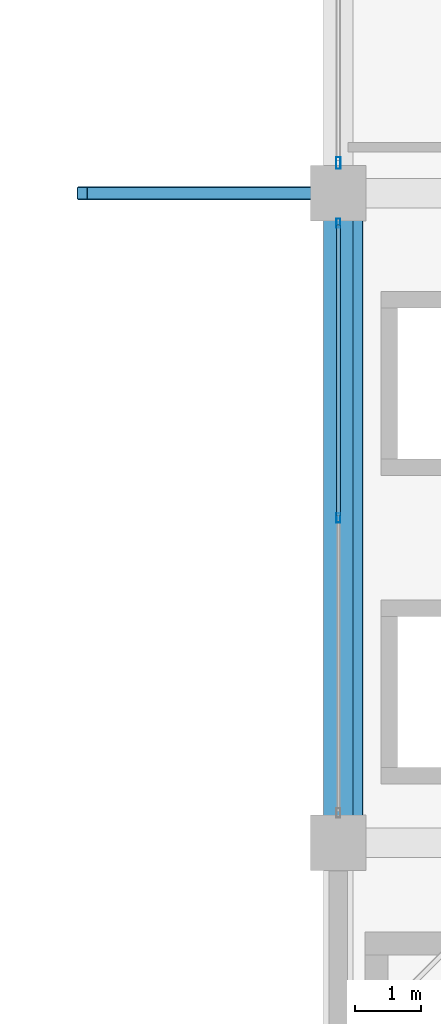
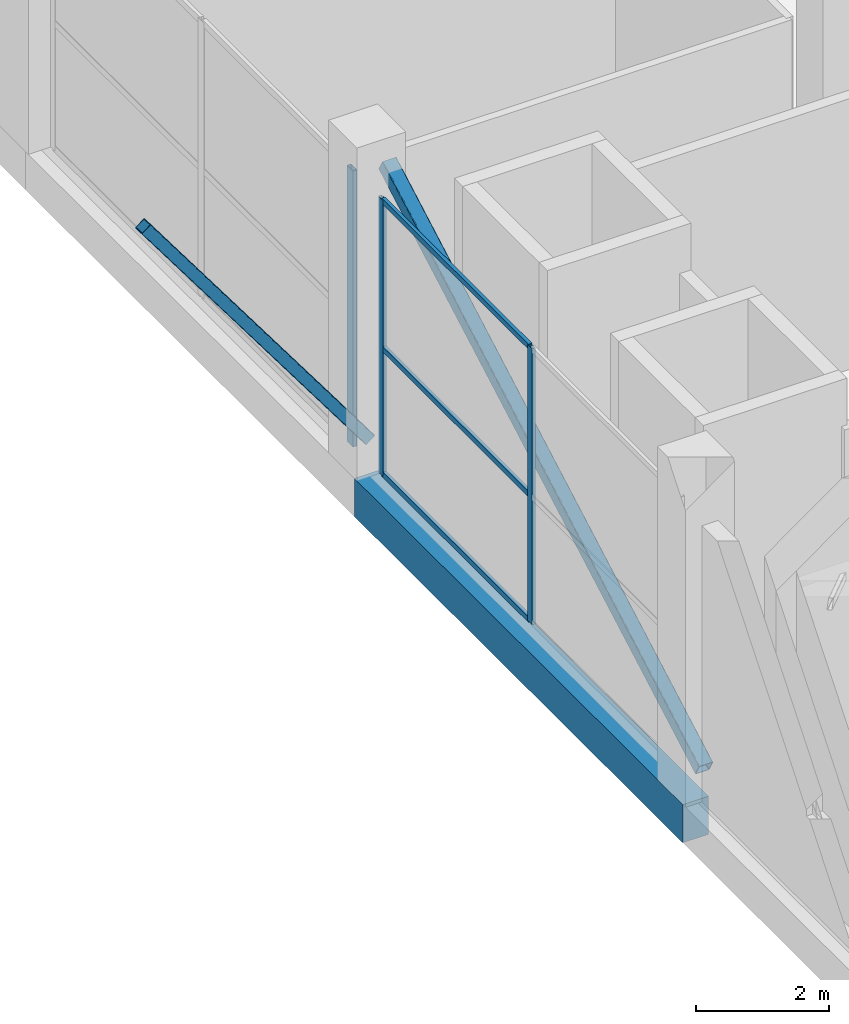
# One storey, part 3 of 46: 8 members, 1 beam, 2 elements without a shape of their own.
"""IFC4 building model written with IfcOpenShell, lengths in metres."""

import ifcopenshell
import ifcopenshell.guid

model = None  # the IFC model being written
_history = None  # IfcOwnerHistory: only IFC2X3 demands one
_inside = {}  # id of a spatial element -> (the spatial element, [elements in it])
_under = {}  # id of a project, library or spatial element -> (it, [spatial elements below it])
_declared = {}  # id of a project -> (the project, [libraries it declares])
_typed = {}  # id of a type object -> (the type object, [elements of that type])
_made_of = {}  # id of a material, layer set ... -> (it, [elements and type objects made of it])


def new_model(schema):
    """Start an empty IFC model of exactly this schema.

    Asked for "IFC4X3", IfcOpenShell would pick the latest addendum, in which some entities
    have other attributes; the version numbers below select the first issue.
    IFC2X3 requires an IfcOwnerHistory on every rooted entity: one is made here for all.
    """
    global model, _history
    if schema == "IFC4X3":
        model = ifcopenshell.file(schema_version=(4, 3, 0, 0))
    else:
        model = ifcopenshell.file(schema=schema)
    _inside.clear()
    _under.clear()
    _declared.clear()
    _typed.clear()
    _made_of.clear()
    _history = None
    if model.schema == "IFC2X3":
        org = make("IfcOrganization", Name="unknown")
        user = make(
            "IfcPersonAndOrganization",
            ThePerson=make("IfcPerson", FamilyName="unknown"),
            TheOrganization=org,
        )
        app = make(
            "IfcApplication",
            ApplicationDeveloper=org,
            Version="unknown",
            ApplicationFullName="unknown",
            ApplicationIdentifier="unknown",
        )
        _history = make(
            "IfcOwnerHistory",
            OwningUser=user,
            OwningApplication=app,
            ChangeAction="ADDED",
            CreationDate=0,
        )
    return model


def make(cls, **values):
    """One entity of the class cls with the attributes given. An attribute that is None is left unset."""
    return model.create_entity(
        cls, **{name: value for name, value in values.items() if value is not None}
    )


def rooted(cls, **values):
    """An entity with a GlobalId (a new one), such as an element, a storey or a relation."""
    return make(cls, GlobalId=ifcopenshell.guid.new(), OwnerHistory=_history, **values)


def si_unit(unit_type, name, prefix=None):
    """IfcSIUnit, for example si_unit("LENGTHUNIT", "METRE", prefix="MILLI")."""
    return make("IfcSIUnit", UnitType=unit_type, Prefix=prefix, Name=name)


def assignment(units):
    """IfcUnitAssignment: the units of a project."""
    return None if units is None else make("IfcUnitAssignment", Units=units)


def point(xyz):
    """IfcCartesianPoint."""
    return None if xyz is None else make("IfcCartesianPoint", Coordinates=xyz)


def direction(xyz):
    """IfcDirection."""
    return None if xyz is None else make("IfcDirection", DirectionRatios=xyz)


def frame(location, z_axis=None, x_axis=None):
    """IfcAxis2Placement3D, a coordinate frame: its origin and axes. An axis left out is left unset."""
    return make(
        "IfcAxis2Placement3D",
        Location=point(location),
        Axis=direction(z_axis),
        RefDirection=direction(x_axis),
    )


def frame_2d(location, x_axis=None):
    """IfcAxis2Placement2D, a coordinate frame in the plane: its origin and x axis."""
    return make(
        "IfcAxis2Placement2D", Location=point(location), RefDirection=direction(x_axis)
    )


def origin():
    """The frame at (0, 0, 0) with its axes left unset."""
    return frame((0.0, 0.0, 0.0))


def origin_2d():
    """The frame at (0, 0) in the plane with its x axis left unset."""
    return frame_2d((0.0, 0.0))


def place(relative_to, where):
    """IfcLocalPlacement: puts the frame where relative to a parent placement (None: the world)."""
    return make(
        "IfcLocalPlacement", PlacementRelTo=relative_to, RelativePlacement=where
    )


def context(
    kind, dimensions, precision=None, world=None, true_north=None, identifier=None
):
    """IfcGeometricRepresentationContext, for example the 3D "Model" context."""
    return make(
        "IfcGeometricRepresentationContext",
        ContextIdentifier=identifier,
        ContextType=kind,
        CoordinateSpaceDimension=dimensions,
        Precision=precision,
        WorldCoordinateSystem=world,
        TrueNorth=true_north,
    )


def subcontext(parent, identifier, kind, view, scale=None):
    """IfcGeometricRepresentationSubContext, for example "Body" below "Model"."""
    return make(
        "IfcGeometricRepresentationSubContext",
        ContextIdentifier=identifier,
        ContextType=kind,
        ParentContext=parent,
        TargetScale=scale,
        TargetView=view,
    )


def project(units=None, contexts=None):
    """IfcProject with its units and contexts."""
    return rooted(
        "IfcProject",
        Name="project",
        RepresentationContexts=contexts,
        UnitsInContext=assignment(units),
    )


def spatial(cls, under=None, at=None, **own):
    """A site, building, storey or space (cls), placed at a placement, below another one or the project."""
    s = rooted(cls, ObjectPlacement=at, **own)
    if under is not None:
        _under.setdefault(under.id(), (under, []))[1].append(s)
    return s


def profile(cls, at=None, kind="AREA", **sizes):
    """A parametric profile (cls). Its sizes go by their IFC names, for example OverallWidth=200.0."""
    return make(cls, ProfileType=kind, Position=at, **sizes)


def rectangle(**sizes):
    """IfcRectangleProfileDef."""
    return profile("IfcRectangleProfileDef", **sizes)


def hollow_rectangle(**sizes):
    """IfcRectangleHollowProfileDef."""
    return profile("IfcRectangleHollowProfileDef", **sizes)


def extrude(swept, where, along, depth):
    """IfcExtrudedAreaSolid: the profile swept, set in the frame where, extruded along a direction by depth."""
    return make(
        "IfcExtrudedAreaSolid",
        SweptArea=swept,
        Position=where,
        ExtrudedDirection=direction(along),
        Depth=depth,
    )


def shape(context_of_items, identifier, shape_type, items):
    """IfcShapeRepresentation: the items that make up one representation, for example the "Body"."""
    return make(
        "IfcShapeRepresentation",
        ContextOfItems=context_of_items,
        RepresentationIdentifier=identifier,
        RepresentationType=shape_type,
        Items=items,
    )


def material(Name=None, Category=None):
    """IfcMaterial."""
    return make("IfcMaterial", Name=Name, Category=Category)


def layer(
    of_material, thickness, ventilated=None, Name=None, Category=None, Priority=None
):
    """IfcMaterialLayer: one layer of a wall or slab, of a material (None: an air gap)."""
    return make(
        "IfcMaterialLayer",
        Material=of_material,
        LayerThickness=thickness,
        IsVentilated=ventilated,
        Name=Name,
        Category=Category,
        Priority=Priority,
    )


def layer_set(layers, Name=None):
    """IfcMaterialLayerSet."""
    return make("IfcMaterialLayerSet", MaterialLayers=layers, LayerSetName=Name)


def material_profile(
    of_material, cross_section, Name=None, Category=None, Priority=None
):
    """IfcMaterialProfile: a cross section and its material."""
    return make(
        "IfcMaterialProfile",
        Name=Name,
        Material=of_material,
        Profile=cross_section,
        Priority=Priority,
        Category=Category,
    )


def profile_set(profiles, Name=None, composite=None):
    """IfcMaterialProfileSet."""
    return make(
        "IfcMaterialProfileSet",
        Name=Name,
        MaterialProfiles=profiles,
        CompositeProfile=composite,
    )


def made_of(thing, what):
    """Note that an element or type object is made of a material, layer set ...; save() writes the relation."""
    if what is not None:
        _made_of.setdefault(what.id(), (what, []))[1].append(thing)
    return thing


def type_object(cls, material=None, **own):
    """A type object (cls), such as IfcWallType, which elements share."""
    return made_of(rooted(cls, **own), material)


def element(
    cls,
    number,
    at=None,
    inside=None,
    cuts=None,
    type_object=None,
    material=None,
    context=None,
    identifier="Body",
    shape_type=None,
    held_by="IfcProductDefinitionShape",
    body=None,
    shapes=None,
    **own,
):
    """One element of the class cls, such as IfcWall. Its Tag is "e" and its number.

    at: its placement. inside: the storey or other place that contains it. cuts: it is an
    opening in that element (IfcRelVoidsElement). A single representation is given by context,
    identifier, shape_type and body (its items); several are given by shapes. held_by: the class
    of the entity that holds the representations. save() writes the other relations.
    """
    e = rooted(cls, Tag="e%d" % number, ObjectPlacement=at, **own)
    if body is not None:
        shapes = [shape(context, identifier, shape_type, body)]
    if shapes is not None:
        e.Representation = make(held_by, Representations=shapes)
    if inside is not None:
        _inside.setdefault(inside.id(), (inside, []))[1].append(e)
    if cuts is not None:
        rooted(
            "IfcRelVoidsElement", RelatingBuildingElement=cuts, RelatedOpeningElement=e
        )
    if type_object is not None:
        _typed.setdefault(type_object.id(), (type_object, []))[1].append(e)
    return made_of(e, material)


def aggregate(whole, parts):
    """IfcRelAggregates: a whole, such as a stair, and the parts it consists of."""
    return rooted("IfcRelAggregates", RelatingObject=whole, RelatedObjects=parts)


def save(model, path):
    """Write the relations noted so far, then the file.

    IfcRelAggregates (storeys below a building ...), IfcRelContainedInSpatialStructure (elements
    in a storey), IfcRelDefinesByType, IfcRelAssociatesMaterial and IfcRelDeclares: one each for
    every whole, place, type object, material and project.
    """
    for whole, parts in _under.values():
        aggregate(whole, parts)
    for where, things in _inside.values():
        rooted(
            "IfcRelContainedInSpatialStructure",
            RelatedElements=things,
            RelatingStructure=where,
        )
    for kind, things in _typed.values():
        rooted("IfcRelDefinesByType", RelatedObjects=things, RelatingType=kind)
    for what, things in _made_of.values():
        rooted("IfcRelAssociatesMaterial", RelatedObjects=things, RelatingMaterial=what)
    for by, libraries in _declared.values():
        rooted("IfcRelDeclares", RelatingContext=by, RelatedDefinitions=libraries)
    model.write(path)


model = new_model("IFC4")

# Units and contexts
model_context = context("Model", 3, precision=1e-05, world=origin(), true_north=direction((0.0, 1.0)))
body_context = subcontext(model_context, "Body", "Model", "MODEL_VIEW")
ifc_project = project(units=[si_unit("LENGTHUNIT", "METRE"), si_unit("AREAUNIT", "SQUARE_METRE"), si_unit("VOLUMEUNIT", "CUBIC_METRE"), si_unit("PLANEANGLEUNIT", "RADIAN"), si_unit("MASSUNIT", "GRAM", prefix="KILO")], contexts=[model_context])

# Site, building, storey
site_placement = place(None, origin())
site = spatial("IfcSite", under=ifc_project, at=site_placement, CompositionType="ELEMENT")
building_placement = place(site_placement, origin())
building = spatial("IfcBuilding", under=site, at=building_placement, Name="Sillaruma Civic Art Gallery", CompositionType="ELEMENT")
storey_placement = place(building_placement, frame((0.0, 0.0, 16.320068359375)))
storey = spatial("IfcBuildingStorey", under=building, at=storey_placement, Name="L03", CompositionType="ELEMENT", Elevation=16.320068359375)

# Beam
ifc_material_1 = material(Name="Concrete H35 (35 MPa)", Category="concrete")
ifc_material_profile_1 = material_profile(ifc_material_1, rectangle(XDim=0.449951171875, YDim=0.699951171875, at=origin_2d()), Name="RCB450x700")
ifc_profile_set_1 = profile_set([ifc_material_profile_1], Name="Concrete H35 (35 MPa)")
beam_type = type_object("IfcBeamType", Name="BM-SPANDREL-RCB450x700", PredefinedType="SPANDREL", material=ifc_profile_set_1)
beam_placement = place(storey_placement, frame((62.0, 39.60009765625, -0.630126953125), z_axis=(0.0, 1.0, 0.0), x_axis=(-1.0, 0.0, 0.0)))
element("IfcBeam", 1, at=beam_placement, inside=storey, type_object=beam_type, Name="Beam BS-03 (L02:F:5-6)", PredefinedType="SPANDREL", context=body_context, shape_type="SweptSolid", body=[
    extrude(rectangle(XDim=0.449951171875, YDim=0.699951171875, at=origin_2d()), origin(), (0.0, 0.0, 1.0), 9.89990234375),
])

# Member
ifc_material_2 = material(Name="Structural Steel ASTM A500 Gr.C", Category="steel")
ifc_material_profile_2 = material_profile(ifc_material_2, hollow_rectangle(XDim=0.25, YDim=0.25, WallThickness=0.012451171875, InnerFilletRadius=0.012451171875, OuterFilletRadius=0.02490234375, at=origin_2d()), Name="HSS250x250x12.5")
ifc_profile_set_2 = profile_set([ifc_material_profile_2], Name="Structural Steel ASTM A500 Gr.C")
member_type_1 = type_object("IfcMemberType", Name="MEM-MEGA-BRACE", PredefinedType="BRACE", material=ifc_profile_set_2)
member_1_placement = place(storey_placement, frame((62.25, 39.780029296875, 0.119873046875), z_axis=(0.0, 0.872597010245, 0.488440843615), x_axis=(-1.0, 0.0, 0.0)))
element("IfcMember", 2, at=member_1_placement, inside=storey, type_object=member_type_1, Name="Gallery Spine Diagonal Steel Brace (L03-W1)", PredefinedType="BRACE", context=body_context, shape_type="SweptSolid", body=[
    extrude(hollow_rectangle(XDim=0.25, YDim=0.25, WallThickness=0.012451171875, InnerFilletRadius=0.012451171875, OuterFilletRadius=0.02490234375, at=origin_2d()), origin(), (0.0, 0.0, 1.0), 10.932861328125),
])

# Curtain wall, members
ifc_material_3 = material(Name="Thermally Broken Extruded Aluminium 6063-T6", Category="aluminium")
ifc_layer_1 = layer(ifc_material_3, 0.139892578125, Name="Thermally Broken Extruded Aluminium 6063-T6")
ifc_layer_set_1 = layer_set([ifc_layer_1], Name="Thermally Broken Extruded Aluminium 6063-T6")
curtain_wall_type_1 = type_object("IfcCurtainWallType", Name="CW-UNI-19", PredefinedType="NOTDEFINED", material=ifc_layer_set_1)
curtain_wall_1_placement = place(storey_placement, origin())
curtain_wall_1 = element("IfcCurtainWall", 3, at=curtain_wall_1_placement, inside=storey, type_object=curtain_wall_type_1, Name="Unitised Curtain Wall CW-19 (CW-L03-W-3)", PredefinedType="NOTDEFINED")
ifc_material_profile_3 = material_profile(ifc_material_3, hollow_rectangle(XDim=0.06005859375, YDim=0.139892578125, WallThickness=0.00341796875, at=origin_2d()), Name="CWM60x140")
ifc_profile_set_3 = profile_set([ifc_material_profile_3], Name="Thermally Broken Extruded Aluminium 6063-T6")
member_type_2 = type_object("IfcMemberType", Name="MEM-MUL-CWM60x140", PredefinedType="MULLION", material=ifc_profile_set_3)
member_2_placement = place(storey_placement, frame((62.0, 44.550048828125, 0.0), z_axis=(0.0, 0.0, 1.0), x_axis=(-1.0, 0.0, 0.0)))
member_2 = element("IfcMember", 4, at=member_2_placement, type_object=member_type_2, Name="CW-19 mullion 2", PredefinedType="MULLION", context=body_context, shape_type="SweptSolid", body=[
    extrude(hollow_rectangle(XDim=0.06005859375, YDim=0.139892578125, WallThickness=0.00341796875, at=origin_2d()), origin(), (0.0, 0.0, 1.0), 5.079833984375),
])
member_3_placement = place(storey_placement, frame((62.0, 49.044921875, 0.0), z_axis=(0.0, 0.0, 1.0), x_axis=(-1.0, 0.0, 0.0)))
member_3 = element("IfcMember", 5, at=member_3_placement, type_object=member_type_2, Name="CW-19 mullion 3", PredefinedType="MULLION", context=body_context, shape_type="SweptSolid", body=[
    extrude(hollow_rectangle(XDim=0.06005859375, YDim=0.139892578125, WallThickness=0.00341796875, at=origin_2d()), origin(), (0.0, 0.0, 1.0), 5.079833984375),
])

# Curtain wall, member
ifc_layer_2 = layer(ifc_material_3, 0.179931640625, Name="Thermally Broken Extruded Aluminium 6063-T6")
ifc_layer_set_2 = layer_set([ifc_layer_2], Name="Thermally Broken Extruded Aluminium 6063-T6")
curtain_wall_type_2 = type_object("IfcCurtainWallType", Name="CW-UNI-21", PredefinedType="NOTDEFINED", material=ifc_layer_set_2)
curtain_wall_2_placement = place(storey_placement, origin())
curtain_wall_2 = element("IfcCurtainWall", 6, at=curtain_wall_2_placement, inside=storey, type_object=curtain_wall_type_2, Name="Unitised Curtain Wall CW-21 (CW-L03-W-4)", PredefinedType="NOTDEFINED")
ifc_material_profile_4 = material_profile(ifc_material_3, hollow_rectangle(XDim=0.070068359375, YDim=0.179931640625, WallThickness=0.00390625, at=origin_2d()), Name="CWM70x180")
ifc_profile_set_4 = profile_set([ifc_material_profile_4], Name="Thermally Broken Extruded Aluminium 6063-T6")
member_type_3 = type_object("IfcMemberType", Name="MEM-MUL-CWM70x180", PredefinedType="MULLION", material=ifc_profile_set_4)
member_4_placement = place(storey_placement, frame((62.0, 49.9599609375, 0.0), z_axis=(0.0, 0.0, 1.0), x_axis=(-1.0, 0.0, 0.0)))
member_4 = element("IfcMember", 7, at=member_4_placement, type_object=member_type_3, Name="CW-21 mullion 1", PredefinedType="MULLION", context=body_context, shape_type="SweptSolid", body=[
    extrude(hollow_rectangle(XDim=0.070068359375, YDim=0.179931640625, WallThickness=0.00390625, at=origin_2d()), origin(), (0.0, 0.0, 1.0), 5.079833984375),
])
aggregate(curtain_wall_2, [member_4])

# Member
ifc_material_profile_5 = material_profile(ifc_material_2, hollow_rectangle(XDim=0.199951171875, YDim=0.199951171875, WallThickness=0.010009765625, InnerFilletRadius=0.010009765625, OuterFilletRadius=0.02001953125, at=origin_2d()), Name="HSS200x200x10")
ifc_profile_set_5 = profile_set([ifc_material_profile_5], Name="Structural Steel ASTM A500 Gr.C")
member_type_4 = type_object("IfcMemberType", Name="MEM-PROW-BRACE", PredefinedType="BRACE", material=ifc_profile_set_5)
member_5_placement = place(storey_placement, frame((62.0, 49.5, 0.39990234375), z_axis=(-0.5967077006, 0.0, 0.80245867186), x_axis=(0.0, -1.0, 0.0)))
element("IfcMember", 8, at=member_5_placement, inside=storey, type_object=member_type_4, Name="Deconstructivist Prow Diagonal Brace (PRW-L04-W-FLR-S)", PredefinedType="BRACE", context=body_context, shape_type="SweptSolid", body=[
    extrude(hollow_rectangle(XDim=0.199951171875, YDim=0.199951171875, WallThickness=0.010009765625, InnerFilletRadius=0.010009765625, OuterFilletRadius=0.02001953125, at=origin_2d()), origin(), (0.0, 0.0, 1.0), 6.53564453125),
])

ifc_material_profile_6 = material_profile(ifc_material_3, hollow_rectangle(XDim=0.06005859375, YDim=0.10009765625, WallThickness=0.003173828125, at=origin_2d()), Name="CWT60x100")
ifc_profile_set_6 = profile_set([ifc_material_profile_6], Name="Thermally Broken Extruded Aluminium 6063-T6")
member_type_5 = type_object("IfcMemberType", Name="MEM-TRN-CWT60x100", PredefinedType="USERDEFINED", material=ifc_profile_set_6)
member_6_placement = place(storey_placement, frame((62.0, 44.580078125, 0.030029296875), z_axis=(0.0, 1.0, 0.0), x_axis=(-1.0, 0.0, 0.0)))
member_6 = element("IfcMember", 9, at=member_6_placement, type_object=member_type_5, Name="CW-19 transom 2.1", ObjectType="TRANSOM", PredefinedType="USERDEFINED", context=body_context, shape_type="SweptSolid", body=[
    extrude(hollow_rectangle(XDim=0.06005859375, YDim=0.10009765625, WallThickness=0.003173828125, at=origin_2d()), origin(), (0.0, 0.0, 1.0), 4.434814453125),
])

member_7_placement = place(storey_placement, frame((62.0, 44.580078125, 2.336669921875), z_axis=(0.0, 1.0, 0.0), x_axis=(-1.0, 0.0, 0.0)))
member_7 = element("IfcMember", 10, at=member_7_placement, type_object=member_type_5, Name="CW-19 transom 2.2", ObjectType="TRANSOM", PredefinedType="USERDEFINED", context=body_context, shape_type="SweptSolid", body=[
    extrude(hollow_rectangle(XDim=0.06005859375, YDim=0.10009765625, WallThickness=0.003173828125, at=origin_2d()), origin(), (0.0, 0.0, 1.0), 4.434814453125),
])

member_8_placement = place(storey_placement, frame((62.0, 44.580078125, 5.050048828125), z_axis=(0.0, 1.0, 0.0), x_axis=(-1.0, 0.0, 0.0)))
member_8 = element("IfcMember", 11, at=member_8_placement, type_object=member_type_5, Name="CW-19 transom 2.3", ObjectType="TRANSOM", PredefinedType="USERDEFINED", context=body_context, shape_type="SweptSolid", body=[
    extrude(hollow_rectangle(XDim=0.06005859375, YDim=0.10009765625, WallThickness=0.003173828125, at=origin_2d()), origin(), (0.0, 0.0, 1.0), 4.434814453125),
])

aggregate(curtain_wall_1, [member_2, member_3, member_6, member_7, member_8])

save(model, "model.ifc")
